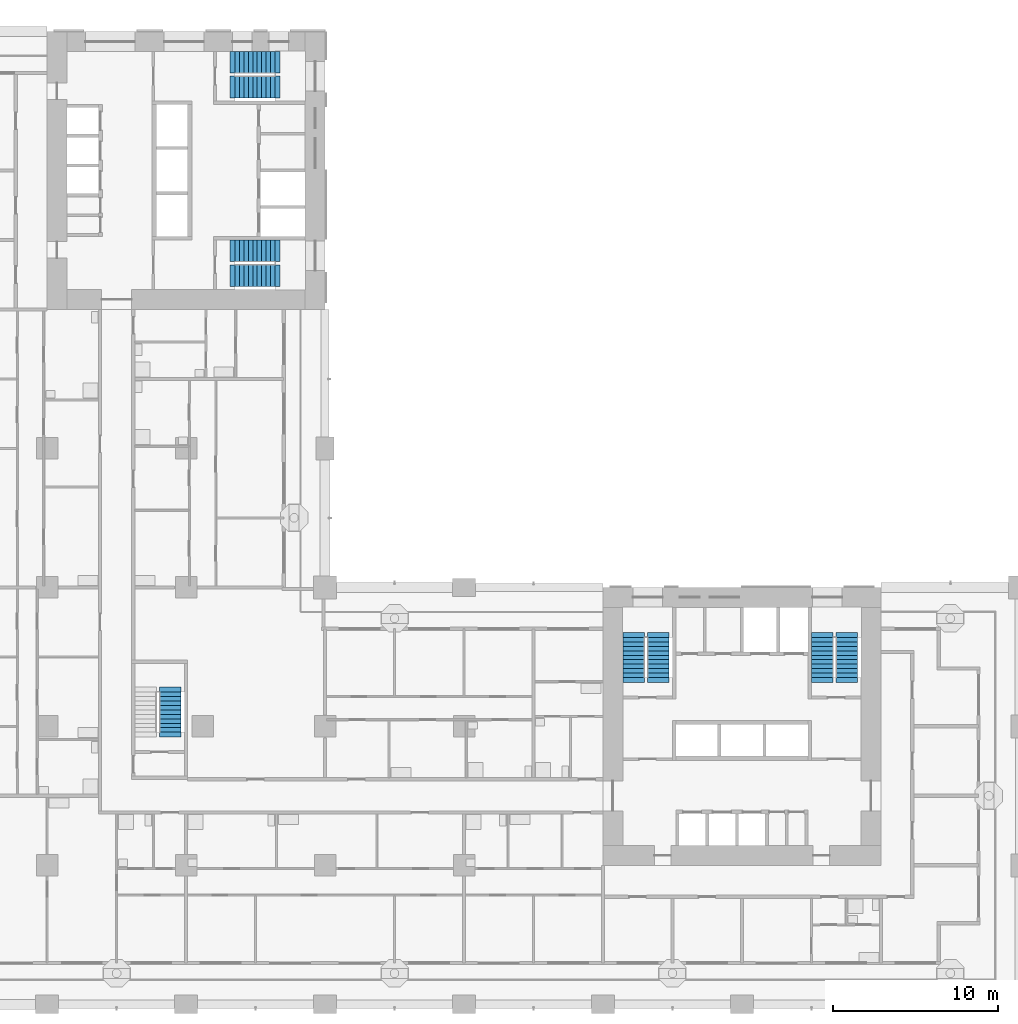
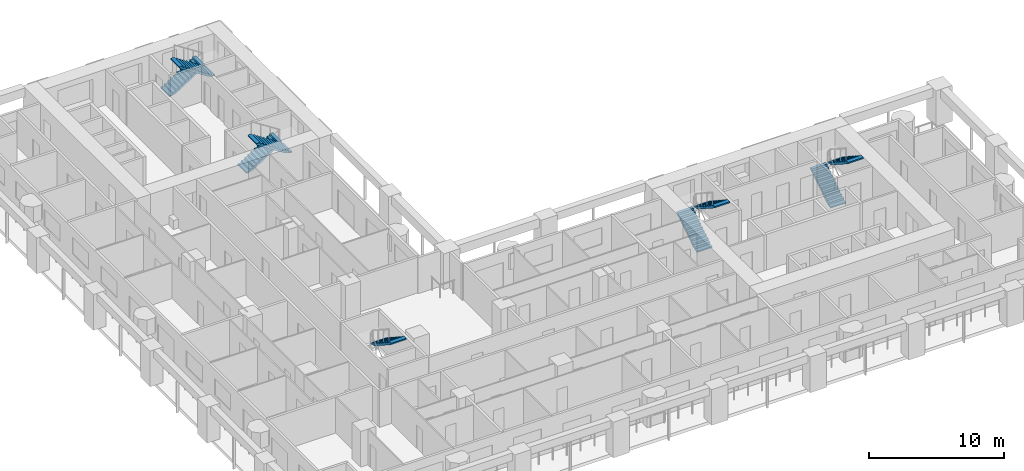
# One storey, part 10 of 20: 9 stair flights, 5 elements without a shape of their own.
"""IFC4 building model written with IfcOpenShell, lengths in metres."""

from ifc_helpers import new_model, si_unit, direction, frame, origin, place, context, subcontext, project, spatial, polyline, outline, extrude, material, type_object, element, aggregate, save


model = new_model("IFC4")

# Units and contexts
model_context = context("Model", 3, precision=1e-05, world=origin(), true_north=direction((0.0, 1.0)))
body_context = subcontext(model_context, "Body", "Model", "MODEL_VIEW")
ifc_project = project(units=[si_unit("LENGTHUNIT", "METRE"), si_unit("AREAUNIT", "SQUARE_METRE"), si_unit("VOLUMEUNIT", "CUBIC_METRE"), si_unit("PLANEANGLEUNIT", "RADIAN"), si_unit("MASSUNIT", "GRAM", prefix="KILO")], contexts=[model_context])

# Site, building, storey
site_placement = place(None, origin())
site = spatial("IfcSite", under=ifc_project, at=site_placement, CompositionType="ELEMENT")
building_placement = place(site_placement, origin())
building = spatial("IfcBuilding", under=site, at=building_placement, Name="Vermilion Gate Residences", CompositionType="ELEMENT")
storey_placement = place(building_placement, frame((0.0, 0.0, 35.699951171875)))
storey = spatial("IfcBuildingStorey", under=building, at=storey_placement, Name="L07", CompositionType="ELEMENT", Elevation=35.699951171875)

# Stair, stair flights
ifc_material_1 = material(Name="Concrete C50", Category="concrete")
stair_type = type_object("IfcStairType", Name="SPECIAL ESCAPE STAIR 1300", PredefinedType="HALF_TURN_STAIR", material=ifc_material_1)
stair_1_placement = place(storey_placement, origin())
stair_1 = element("IfcStair", 1, at=stair_1_placement, inside=storey, type_object=stair_type, Name="Special escape stair STA1-07", PredefinedType="HALF_TURN_STAIR")
ifc_material_2 = material(Name="Concrete C50", Category="concrete")
stair_flight_type = type_object("IfcStairFlightType", Name="STAIR FLIGHT 1300 RC C50", PredefinedType="STRAIGHT", material=ifc_material_2)
stair_flight_1_placement = place(storey_placement, frame((43.85009765625, 19.75, 0.0), z_axis=(0.0, 0.0, 1.0), x_axis=(0.0, 1.0, 0.0)))
stair_flight_1 = element("IfcStairFlight", 2, at=stair_flight_1_placement, type_object=stair_flight_type, Name="STA1-07 flight 1", NumberOfRisers=10, NumberOfTreads=9, PredefinedType="STRAIGHT", RiserHeight=0.175, TreadLength=0.27, context=body_context, shape_type="SweptSolid", body=[
    extrude(outline(polyline([(-0.300048828125, -0.14990234375), (-0.300048828125, -0.030029296875), (0.0, 0.0), (0.0, 0.175048828125), (0.27001953125, 0.175048828125), (0.27001953125, 0.35009765625), (0.5400390625, 0.35009765625), (0.5400390625, 0.52490234375), (0.81005859375, 0.52490234375), (0.81005859375, 0.699951171875), (1.080078125, 0.699951171875), (1.080078125, 0.875), (1.35009765625, 0.875), (1.35009765625, 1.050048828125), (1.6201171875, 1.050048828125), (1.6201171875, 1.22509765625), (1.889892578125, 1.22509765625), (1.889892578125, 1.39990234375), (2.159912109375, 1.39990234375), (2.159912109375, 1.574951171875), (2.429931640625, 1.574951171875), (2.429931640625, 1.75), (2.72998046875, 1.719970703125), (2.72998046875, 1.60009765625), (2.429931640625, 1.396484375), (0.275634765625, 0.0), (-0.300048828125, -0.14990234375)])), frame((0.0, 0.64990234375, 0.0), z_axis=(0.0, -1.0, 0.0), x_axis=(1.0, 0.0, 0.0)), (0.0, 0.0, 1.0), 1.300048828125),
])
stair_flight_2_placement = place(storey_placement, frame((45.35009765625, 22.179931640625, 1.75), z_axis=(0.0, 0.0, 1.0), x_axis=(0.0, -1.0, 0.0)))
stair_flight_2 = element("IfcStairFlight", 3, at=stair_flight_2_placement, type_object=stair_flight_type, Name="STA1-07 flight 2", NumberOfRisers=10, NumberOfTreads=9, PredefinedType="STRAIGHT", RiserHeight=0.175, TreadLength=0.27, context=body_context, shape_type="SweptSolid", body=[
    extrude(outline(polyline([(-0.300048828125, -0.14990234375), (-0.300048828125, -0.030029296875), (0.0, 0.0), (0.0, 0.175048828125), (0.27001953125, 0.175048828125), (0.27001953125, 0.35009765625), (0.5400390625, 0.35009765625), (0.5400390625, 0.52490234375), (0.81005859375, 0.52490234375), (0.81005859375, 0.699951171875), (1.080078125, 0.699951171875), (1.080078125, 0.875), (1.35009765625, 0.875), (1.35009765625, 1.050048828125), (1.6201171875, 1.050048828125), (1.6201171875, 1.22509765625), (1.889892578125, 1.22509765625), (1.889892578125, 1.39990234375), (2.159912109375, 1.39990234375), (2.159912109375, 1.574951171875), (2.429931640625, 1.574951171875), (2.429931640625, 1.75), (2.72998046875, 1.719970703125), (2.72998046875, 1.60009765625), (2.429931640625, 1.396484375), (0.275634765625, 0.0), (-0.300048828125, -0.14990234375)])), frame((0.0, 0.64990234375, 0.0), z_axis=(0.0, -1.0, 0.0), x_axis=(1.0, 0.0, 0.0)), (0.0, 0.0, 1.0), 1.300048828125),
])
aggregate(stair_1, [stair_flight_1, stair_flight_2])

stair_2_placement = place(storey_placement, origin())
stair_2 = element("IfcStair", 4, at=stair_2_placement, inside=storey, type_object=stair_type, Name="Special escape stair STA2-07", PredefinedType="HALF_TURN_STAIR")
stair_flight_3_placement = place(storey_placement, frame((55.25, 19.75, 0.0), z_axis=(0.0, 0.0, 1.0), x_axis=(0.0, 1.0, 0.0)))
stair_flight_3 = element("IfcStairFlight", 5, at=stair_flight_3_placement, type_object=stair_flight_type, Name="STA2-07 flight 1", NumberOfRisers=10, NumberOfTreads=9, PredefinedType="STRAIGHT", RiserHeight=0.175, TreadLength=0.27, context=body_context, shape_type="SweptSolid", body=[
    extrude(outline(polyline([(-0.300048828125, -0.14990234375), (-0.300048828125, -0.030029296875), (0.0, 0.0), (0.0, 0.175048828125), (0.27001953125, 0.175048828125), (0.27001953125, 0.35009765625), (0.5400390625, 0.35009765625), (0.5400390625, 0.52490234375), (0.81005859375, 0.52490234375), (0.81005859375, 0.699951171875), (1.080078125, 0.699951171875), (1.080078125, 0.875), (1.35009765625, 0.875), (1.35009765625, 1.050048828125), (1.6201171875, 1.050048828125), (1.6201171875, 1.22509765625), (1.889892578125, 1.22509765625), (1.889892578125, 1.39990234375), (2.159912109375, 1.39990234375), (2.159912109375, 1.574951171875), (2.429931640625, 1.574951171875), (2.429931640625, 1.75), (2.72998046875, 1.719970703125), (2.72998046875, 1.60009765625), (2.429931640625, 1.396484375), (0.275634765625, 0.0), (-0.300048828125, -0.14990234375)])), frame((0.0, 0.64990234375, 0.0), z_axis=(0.0, -1.0, 0.0), x_axis=(1.0, 0.0, 0.0)), (0.0, 0.0, 1.0), 1.300048828125),
])
stair_flight_4_placement = place(storey_placement, frame((56.75, 22.179931640625, 1.75), z_axis=(0.0, 0.0, 1.0), x_axis=(0.0, -1.0, 0.0)))
stair_flight_4 = element("IfcStairFlight", 6, at=stair_flight_4_placement, type_object=stair_flight_type, Name="STA2-07 flight 2", NumberOfRisers=10, NumberOfTreads=9, PredefinedType="STRAIGHT", RiserHeight=0.175, TreadLength=0.27, context=body_context, shape_type="SweptSolid", body=[
    extrude(outline(polyline([(-0.300048828125, -0.14990234375), (-0.300048828125, -0.030029296875), (0.0, 0.0), (0.0, 0.175048828125), (0.27001953125, 0.175048828125), (0.27001953125, 0.35009765625), (0.5400390625, 0.35009765625), (0.5400390625, 0.52490234375), (0.81005859375, 0.52490234375), (0.81005859375, 0.699951171875), (1.080078125, 0.699951171875), (1.080078125, 0.875), (1.35009765625, 0.875), (1.35009765625, 1.050048828125), (1.6201171875, 1.050048828125), (1.6201171875, 1.22509765625), (1.889892578125, 1.22509765625), (1.889892578125, 1.39990234375), (2.159912109375, 1.39990234375), (2.159912109375, 1.574951171875), (2.429931640625, 1.574951171875), (2.429931640625, 1.75), (2.72998046875, 1.719970703125), (2.72998046875, 1.60009765625), (2.429931640625, 1.396484375), (0.275634765625, 0.0), (-0.300048828125, -0.14990234375)])), frame((0.0, 0.64990234375, 0.0), z_axis=(0.0, -1.0, 0.0), x_axis=(1.0, 0.0, 0.0)), (0.0, 0.0, 1.0), 1.300048828125),
])
aggregate(stair_2, [stair_flight_3, stair_flight_4])

stair_3_placement = place(storey_placement, origin())
stair_3 = element("IfcStair", 7, at=stair_3_placement, inside=storey, type_object=stair_type, Name="Special escape stair STB1-07", PredefinedType="HALF_TURN_STAIR")
stair_flight_5_placement = place(storey_placement, frame((19.75, 56.949951171875, 0.0), z_axis=(0.0, 0.0, 1.0), x_axis=(1.0, 0.0, 0.0)))
stair_flight_5 = element("IfcStairFlight", 8, at=stair_flight_5_placement, type_object=stair_flight_type, Name="STB1-07 flight 1", NumberOfRisers=10, NumberOfTreads=9, PredefinedType="STRAIGHT", RiserHeight=0.175, TreadLength=0.27, context=body_context, shape_type="SweptSolid", body=[
    extrude(outline(polyline([(-0.300048828125, -0.14990234375), (-0.300048828125, -0.030029296875), (0.0, 0.0), (0.0, 0.175048828125), (0.27001953125, 0.175048828125), (0.27001953125, 0.35009765625), (0.5400390625, 0.35009765625), (0.5400390625, 0.52490234375), (0.81005859375, 0.52490234375), (0.81005859375, 0.699951171875), (1.080078125, 0.699951171875), (1.080078125, 0.875), (1.35009765625, 0.875), (1.35009765625, 1.050048828125), (1.6201171875, 1.050048828125), (1.6201171875, 1.22509765625), (1.889892578125, 1.22509765625), (1.889892578125, 1.39990234375), (2.159912109375, 1.39990234375), (2.159912109375, 1.574951171875), (2.429931640625, 1.574951171875), (2.429931640625, 1.75), (2.72998046875, 1.719970703125), (2.72998046875, 1.60009765625), (2.429931640625, 1.396484375), (0.275634765625, 0.0), (-0.300048828125, -0.14990234375)])), frame((0.0, 0.64990234375, 0.0), z_axis=(0.0, -1.0, 0.0), x_axis=(1.0, 0.0, 0.0)), (0.0, 0.0, 1.0), 1.300048828125),
])
stair_flight_6_placement = place(storey_placement, frame((22.179931640625, 55.449951171875, 1.75), z_axis=(0.0, 0.0, 1.0), x_axis=(-1.0, 0.0, 0.0)))
stair_flight_6 = element("IfcStairFlight", 9, at=stair_flight_6_placement, type_object=stair_flight_type, Name="STB1-07 flight 2", NumberOfRisers=10, NumberOfTreads=9, PredefinedType="STRAIGHT", RiserHeight=0.175, TreadLength=0.27, context=body_context, shape_type="SweptSolid", body=[
    extrude(outline(polyline([(-0.300048828125, -0.14990234375), (-0.300048828125, -0.030029296875), (0.0, 0.0), (0.0, 0.175048828125), (0.27001953125, 0.175048828125), (0.27001953125, 0.35009765625), (0.5400390625, 0.35009765625), (0.5400390625, 0.52490234375), (0.81005859375, 0.52490234375), (0.81005859375, 0.699951171875), (1.080078125, 0.699951171875), (1.080078125, 0.875), (1.35009765625, 0.875), (1.35009765625, 1.050048828125), (1.6201171875, 1.050048828125), (1.6201171875, 1.22509765625), (1.889892578125, 1.22509765625), (1.889892578125, 1.39990234375), (2.159912109375, 1.39990234375), (2.159912109375, 1.574951171875), (2.429931640625, 1.574951171875), (2.429931640625, 1.75), (2.72998046875, 1.719970703125), (2.72998046875, 1.60009765625), (2.429931640625, 1.396484375), (0.275634765625, 0.0), (-0.300048828125, -0.14990234375)])), frame((0.0, 0.64990234375, 0.0), z_axis=(0.0, -1.0, 0.0), x_axis=(1.0, 0.0, 0.0)), (0.0, 0.0, 1.0), 1.300048828125),
])
aggregate(stair_3, [stair_flight_5, stair_flight_6])

stair_4_placement = place(storey_placement, origin())
stair_4 = element("IfcStair", 10, at=stair_4_placement, inside=storey, type_object=stair_type, Name="Special escape stair STB2-07", PredefinedType="HALF_TURN_STAIR")
stair_flight_7_placement = place(storey_placement, frame((19.75, 45.550048828125, 0.0), z_axis=(0.0, 0.0, 1.0), x_axis=(1.0, 0.0, 0.0)))
stair_flight_7 = element("IfcStairFlight", 11, at=stair_flight_7_placement, type_object=stair_flight_type, Name="STB2-07 flight 1", NumberOfRisers=10, NumberOfTreads=9, PredefinedType="STRAIGHT", RiserHeight=0.175, TreadLength=0.27, context=body_context, shape_type="SweptSolid", body=[
    extrude(outline(polyline([(-0.300048828125, -0.14990234375), (-0.300048828125, -0.030029296875), (0.0, 0.0), (0.0, 0.175048828125), (0.27001953125, 0.175048828125), (0.27001953125, 0.35009765625), (0.5400390625, 0.35009765625), (0.5400390625, 0.52490234375), (0.81005859375, 0.52490234375), (0.81005859375, 0.699951171875), (1.080078125, 0.699951171875), (1.080078125, 0.875), (1.35009765625, 0.875), (1.35009765625, 1.050048828125), (1.6201171875, 1.050048828125), (1.6201171875, 1.22509765625), (1.889892578125, 1.22509765625), (1.889892578125, 1.39990234375), (2.159912109375, 1.39990234375), (2.159912109375, 1.574951171875), (2.429931640625, 1.574951171875), (2.429931640625, 1.75), (2.72998046875, 1.719970703125), (2.72998046875, 1.60009765625), (2.429931640625, 1.396484375), (0.275634765625, 0.0), (-0.300048828125, -0.14990234375)])), frame((0.0, 0.64990234375, 0.0), z_axis=(0.0, -1.0, 0.0), x_axis=(1.0, 0.0, 0.0)), (0.0, 0.0, 1.0), 1.300048828125),
])
stair_flight_8_placement = place(storey_placement, frame((22.179931640625, 44.050048828125, 1.75), z_axis=(0.0, 0.0, 1.0), x_axis=(-1.0, 0.0, 0.0)))
stair_flight_8 = element("IfcStairFlight", 12, at=stair_flight_8_placement, type_object=stair_flight_type, Name="STB2-07 flight 2", NumberOfRisers=10, NumberOfTreads=9, PredefinedType="STRAIGHT", RiserHeight=0.175, TreadLength=0.27, context=body_context, shape_type="SweptSolid", body=[
    extrude(outline(polyline([(-0.300048828125, -0.14990234375), (-0.300048828125, -0.030029296875), (0.0, 0.0), (0.0, 0.175048828125), (0.27001953125, 0.175048828125), (0.27001953125, 0.35009765625), (0.5400390625, 0.35009765625), (0.5400390625, 0.52490234375), (0.81005859375, 0.52490234375), (0.81005859375, 0.699951171875), (1.080078125, 0.699951171875), (1.080078125, 0.875), (1.35009765625, 0.875), (1.35009765625, 1.050048828125), (1.6201171875, 1.050048828125), (1.6201171875, 1.22509765625), (1.889892578125, 1.22509765625), (1.889892578125, 1.39990234375), (2.159912109375, 1.39990234375), (2.159912109375, 1.574951171875), (2.429931640625, 1.574951171875), (2.429931640625, 1.75), (2.72998046875, 1.719970703125), (2.72998046875, 1.60009765625), (2.429931640625, 1.396484375), (0.275634765625, 0.0), (-0.300048828125, -0.14990234375)])), frame((0.0, 0.64990234375, 0.0), z_axis=(0.0, -1.0, 0.0), x_axis=(1.0, 0.0, 0.0)), (0.0, 0.0, 1.0), 1.300048828125),
])
aggregate(stair_4, [stair_flight_7, stair_flight_8])

# Stair, stair flight
stair_5_placement = place(storey_placement, origin())
stair_5 = element("IfcStair", 13, at=stair_5_placement, inside=storey, type_object=stair_type, Name="Special escape stair STC1-07", PredefinedType="HALF_TURN_STAIR")
stair_flight_9_placement = place(storey_placement, frame((15.85009765625, 18.8798828125, 1.75), z_axis=(0.0, 0.0, 1.0), x_axis=(0.0, -1.0, 0.0)))
stair_flight_9 = element("IfcStairFlight", 14, at=stair_flight_9_placement, type_object=stair_flight_type, Name="STC1-07 flight 2", NumberOfRisers=10, NumberOfTreads=9, PredefinedType="STRAIGHT", RiserHeight=0.175, TreadLength=0.27, context=body_context, shape_type="SweptSolid", body=[
    extrude(outline(polyline([(-0.300048828125, -0.14990234375), (-0.300048828125, -0.030029296875), (0.0, 0.0), (0.0, 0.175048828125), (0.27001953125, 0.175048828125), (0.27001953125, 0.35009765625), (0.5400390625, 0.35009765625), (0.5400390625, 0.52490234375), (0.81005859375, 0.52490234375), (0.81005859375, 0.699951171875), (1.080078125, 0.699951171875), (1.080078125, 0.875), (1.35009765625, 0.875), (1.35009765625, 1.050048828125), (1.6201171875, 1.050048828125), (1.6201171875, 1.22509765625), (1.889892578125, 1.22509765625), (1.889892578125, 1.39990234375), (2.159912109375, 1.39990234375), (2.159912109375, 1.574951171875), (2.429931640625, 1.574951171875), (2.429931640625, 1.75), (2.72998046875, 1.719970703125), (2.72998046875, 1.60009765625), (2.429931640625, 1.396484375), (0.275634765625, 0.0), (-0.300048828125, -0.14990234375)])), frame((0.0, 0.64990234375, 0.0), z_axis=(0.0, -1.0, 0.0), x_axis=(1.0, 0.0, 0.0)), (0.0, 0.0, 1.0), 1.300048828125),
])
aggregate(stair_5, [stair_flight_9])

save(model, "model.ifc")
